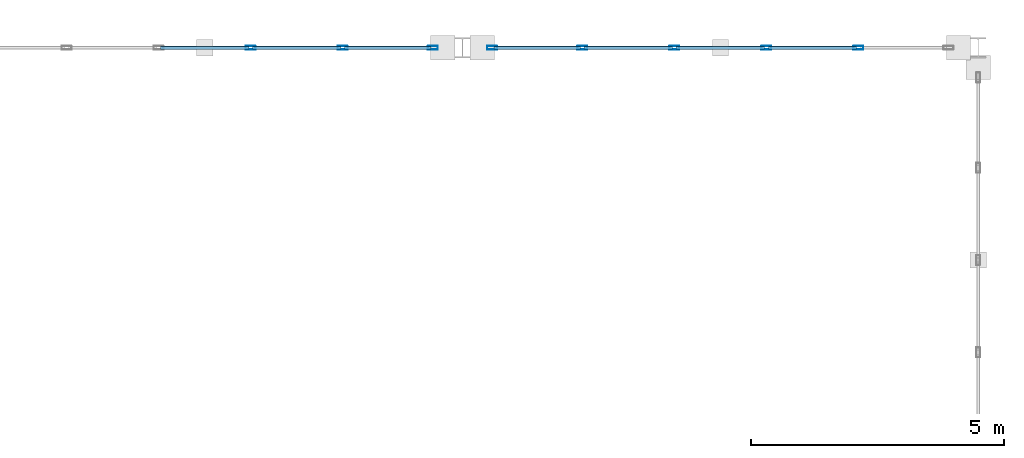
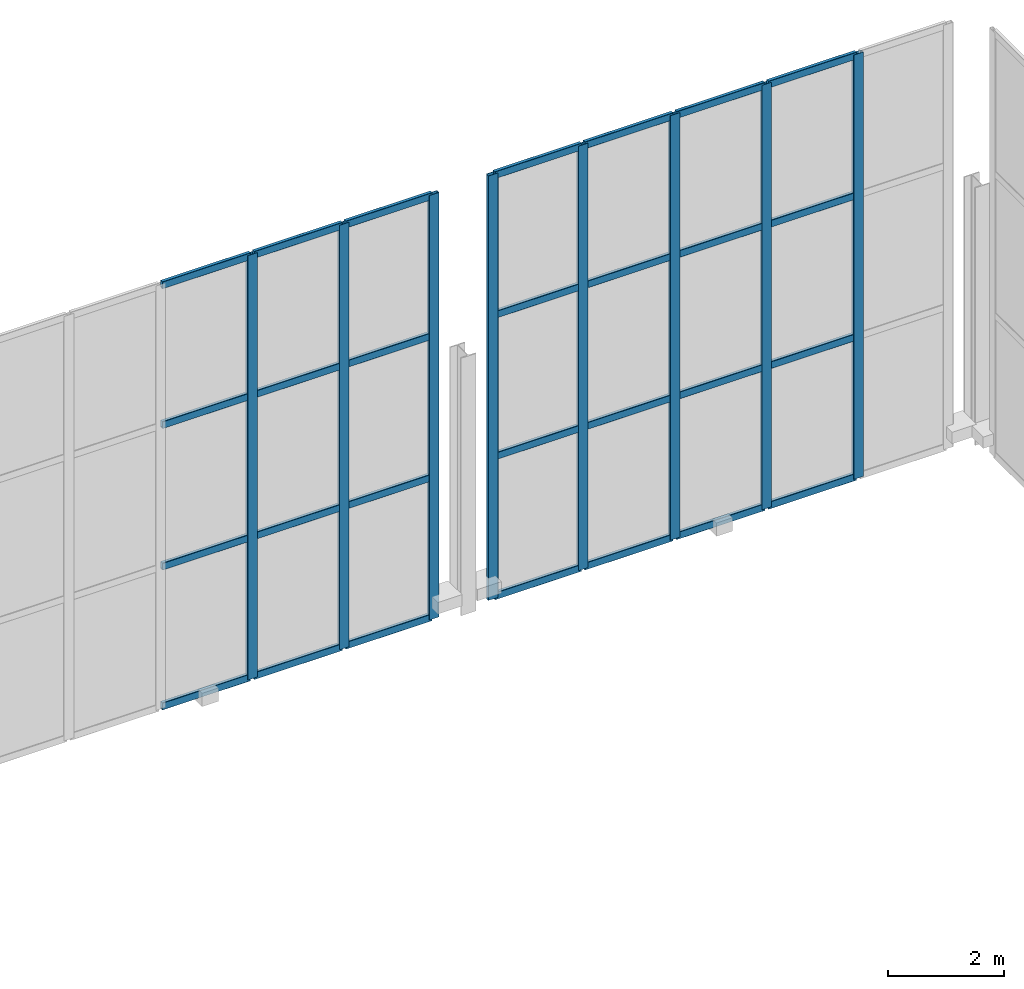
# One storey, part 99 of 175: 36 members, 2 elements without a shape of their own.
"""IFC4 building model written with IfcOpenShell, lengths in metres."""

from ifc_helpers import new_model, si_unit, direction, frame, origin, origin_2d, place, context, subcontext, project, spatial, hollow_rectangle, extrude, material, material_profile, profile_set, type_object, element, aggregate, save


model = new_model("IFC4")

# Units and contexts
model_context = context("Model", 3, precision=1e-05, world=origin(), true_north=direction((0.0, 1.0)))
body_context = subcontext(model_context, "Body", "Model", "MODEL_VIEW")
ifc_project = project(units=[si_unit("LENGTHUNIT", "METRE"), si_unit("AREAUNIT", "SQUARE_METRE"), si_unit("VOLUMEUNIT", "CUBIC_METRE"), si_unit("PLANEANGLEUNIT", "RADIAN"), si_unit("MASSUNIT", "GRAM", prefix="KILO")], contexts=[model_context])

# Site, building, storey
site_placement = place(None, origin())
site = spatial("IfcSite", under=ifc_project, at=site_placement, CompositionType="ELEMENT")
building_placement = place(site_placement, origin())
building = spatial("IfcBuilding", under=site, at=building_placement, Name="Brelvane Convention Centre", CompositionType="ELEMENT")
storey_placement = place(building_placement, frame((0.0, 0.0, 5.39990234375)))
storey = spatial("IfcBuildingStorey", under=building, at=storey_placement, Name="L01", CompositionType="ELEMENT", Elevation=5.39990234375)

# Curtain wall, members
ifc_material_1 = material(Name="Anodised Aluminium Alloy 6063-T6", Category="aluminium")
curtain_wall_type = type_object("IfcCurtainWallType", Name="Curtain Wall CW-BALL", PredefinedType="USERDEFINED", material=ifc_material_1)
curtain_wall_1_placement = place(storey_placement, origin())
curtain_wall_1 = element("IfcCurtainWall", 1, at=curtain_wall_1_placement, inside=storey, type_object=curtain_wall_type, Name="Curtain Wall CW-BALL L01-V3N-CW-L01-4", ObjectType="UNITISED", PredefinedType="USERDEFINED")
ifc_material_2 = material(Name="Anodised Aluminium Alloy 6063-T6", Category="aluminium")
ifc_material_profile_1 = material_profile(ifc_material_2, hollow_rectangle(XDim=0.074951171875, YDim=0.199951171875, WallThickness=0.0048828125, InnerFilletRadius=0.0048828125, OuterFilletRadius=0.010009765625, at=origin_2d()), Name="ALU-M 200x75x5.0")
ifc_profile_set_1 = profile_set([ifc_material_profile_1], Name="Anodised Aluminium Alloy 6063-T6")
member_type_1 = type_object("IfcMemberType", Name="Curtain Mullion CW-M2", PredefinedType="MULLION", material=ifc_profile_set_1)
member_1_placement = place(storey_placement, frame((210.010009765625, 144.0, 0.0), z_axis=(0.0, 0.0, 1.0), x_axis=(0.0, 1.0, 0.0)))
member_1 = element("IfcMember", 2, at=member_1_placement, type_object=member_type_1, Name="CW-BALL mullion 4", PredefinedType="MULLION", context=body_context, shape_type="SweptSolid", body=[
    extrude(hollow_rectangle(XDim=0.074951171875, YDim=0.199951171875, WallThickness=0.0048828125, InnerFilletRadius=0.0048828125, OuterFilletRadius=0.010009765625, at=origin_2d()), origin(), (0.0, 0.0, 1.0), 8.900146484375),
])
member_2_placement = place(storey_placement, frame((211.830078125, 144.0, 0.0), z_axis=(0.0, 0.0, 1.0), x_axis=(0.0, 1.0, 0.0)))
member_2 = element("IfcMember", 3, at=member_2_placement, type_object=member_type_1, Name="CW-BALL mullion 5", PredefinedType="MULLION", context=body_context, shape_type="SweptSolid", body=[
    extrude(hollow_rectangle(XDim=0.074951171875, YDim=0.199951171875, WallThickness=0.0048828125, InnerFilletRadius=0.0048828125, OuterFilletRadius=0.010009765625, at=origin_2d()), origin(), (0.0, 0.0, 1.0), 8.900146484375),
])
member_3_placement = place(storey_placement, frame((213.612548828125, 144.0, 0.0), z_axis=(0.0, 0.0, 1.0), x_axis=(0.0, 1.0, 0.0)))
member_3 = element("IfcMember", 4, at=member_3_placement, type_object=member_type_1, Name="CW-BALL mullion 6", PredefinedType="MULLION", context=body_context, shape_type="SweptSolid", body=[
    extrude(hollow_rectangle(XDim=0.074951171875, YDim=0.199951171875, WallThickness=0.0048828125, InnerFilletRadius=0.0048828125, OuterFilletRadius=0.010009765625, at=origin_2d()), origin(), (0.0, 0.0, 1.0), 8.900146484375),
])

curtain_wall_2_placement = place(storey_placement, origin())
curtain_wall_2 = element("IfcCurtainWall", 5, at=curtain_wall_2_placement, inside=storey, type_object=curtain_wall_type, Name="Curtain Wall CW-BALL L01-V3N-CW-L01-5", ObjectType="UNITISED", PredefinedType="USERDEFINED")
member_4_placement = place(storey_placement, frame((214.78759765625, 144.0, 0.0), z_axis=(0.0, 0.0, 1.0), x_axis=(0.0, 1.0, 0.0)))
member_4 = element("IfcMember", 6, at=member_4_placement, type_object=member_type_1, Name="CW-BALL mullion 1", PredefinedType="MULLION", context=body_context, shape_type="SweptSolid", body=[
    extrude(hollow_rectangle(XDim=0.074951171875, YDim=0.199951171875, WallThickness=0.0048828125, InnerFilletRadius=0.0048828125, OuterFilletRadius=0.010009765625, at=origin_2d()), origin(), (0.0, 0.0, 1.0), 8.900146484375),
])
member_5_placement = place(storey_placement, frame((216.570068359375, 144.0, 0.0), z_axis=(0.0, 0.0, 1.0), x_axis=(0.0, 1.0, 0.0)))
member_5 = element("IfcMember", 7, at=member_5_placement, type_object=member_type_1, Name="CW-BALL mullion 2", PredefinedType="MULLION", context=body_context, shape_type="SweptSolid", body=[
    extrude(hollow_rectangle(XDim=0.074951171875, YDim=0.199951171875, WallThickness=0.0048828125, InnerFilletRadius=0.0048828125, OuterFilletRadius=0.010009765625, at=origin_2d()), origin(), (0.0, 0.0, 1.0), 8.900146484375),
])
member_6_placement = place(storey_placement, frame((218.389892578125, 144.0, 0.0), z_axis=(0.0, 0.0, 1.0), x_axis=(0.0, 1.0, 0.0)))
member_6 = element("IfcMember", 8, at=member_6_placement, type_object=member_type_1, Name="CW-BALL mullion 3", PredefinedType="MULLION", context=body_context, shape_type="SweptSolid", body=[
    extrude(hollow_rectangle(XDim=0.074951171875, YDim=0.199951171875, WallThickness=0.0048828125, InnerFilletRadius=0.0048828125, OuterFilletRadius=0.010009765625, at=origin_2d()), origin(), (0.0, 0.0, 1.0), 8.900146484375),
])
member_7_placement = place(storey_placement, frame((220.2099609375, 144.0, 0.0), z_axis=(0.0, 0.0, 1.0), x_axis=(0.0, 1.0, 0.0)))
member_7 = element("IfcMember", 9, at=member_7_placement, type_object=member_type_1, Name="CW-BALL mullion 4", PredefinedType="MULLION", context=body_context, shape_type="SweptSolid", body=[
    extrude(hollow_rectangle(XDim=0.074951171875, YDim=0.199951171875, WallThickness=0.0048828125, InnerFilletRadius=0.0048828125, OuterFilletRadius=0.010009765625, at=origin_2d()), origin(), (0.0, 0.0, 1.0), 8.900146484375),
])
member_8_placement = place(storey_placement, frame((222.030029296875, 144.0, 0.0), z_axis=(0.0, 0.0, 1.0), x_axis=(0.0, 1.0, 0.0)))
member_8 = element("IfcMember", 10, at=member_8_placement, type_object=member_type_1, Name="CW-BALL mullion 5", PredefinedType="MULLION", context=body_context, shape_type="SweptSolid", body=[
    extrude(hollow_rectangle(XDim=0.074951171875, YDim=0.199951171875, WallThickness=0.0048828125, InnerFilletRadius=0.0048828125, OuterFilletRadius=0.010009765625, at=origin_2d()), origin(), (0.0, 0.0, 1.0), 8.900146484375),
])

# Member
ifc_material_3 = material(Name="Anodised Aluminium Alloy 6063-T6", Category="aluminium")
ifc_material_profile_2 = material_profile(ifc_material_3, hollow_rectangle(XDim=0.070068359375, YDim=0.14990234375, WallThickness=0.00439453125, InnerFilletRadius=0.00439453125, OuterFilletRadius=0.009033203125, at=origin_2d()), Name="ALU-T 150x70x4.5")
ifc_profile_set_2 = profile_set([ifc_material_profile_2], Name="Anodised Aluminium Alloy 6063-T6")
member_type_2 = type_object("IfcMemberType", Name="Curtain Transom CW-T2", PredefinedType="USERDEFINED", material=ifc_profile_set_2)
member_9_placement = place(storey_placement, frame((208.2275390625, 144.0, 0.03515625), z_axis=(1.0, 0.0, 0.0), x_axis=(0.0, 1.0, 0.0)))
member_9 = element("IfcMember", 11, at=member_9_placement, type_object=member_type_2, Name="CW-BALL transom 3.1", ObjectType="TRANSOM", PredefinedType="USERDEFINED", context=body_context, shape_type="SweptSolid", body=[
    extrude(hollow_rectangle(XDim=0.070068359375, YDim=0.14990234375, WallThickness=0.00439453125, InnerFilletRadius=0.00439453125, OuterFilletRadius=0.009033203125, at=origin_2d()), origin(), (0.0, 0.0, 1.0), 1.744873046875),
])

member_10_placement = place(storey_placement, frame((208.2275390625, 144.0, 2.966796875), z_axis=(1.0, 0.0, 0.0), x_axis=(0.0, 1.0, 0.0)))
member_10 = element("IfcMember", 12, at=member_10_placement, type_object=member_type_2, Name="CW-BALL transom 3.2", ObjectType="TRANSOM", PredefinedType="USERDEFINED", context=body_context, shape_type="SweptSolid", body=[
    extrude(hollow_rectangle(XDim=0.070068359375, YDim=0.14990234375, WallThickness=0.00439453125, InnerFilletRadius=0.00439453125, OuterFilletRadius=0.009033203125, at=origin_2d()), origin(), (0.0, 0.0, 1.0), 1.744873046875),
])

member_11_placement = place(storey_placement, frame((208.2275390625, 144.0, 5.933349609375), z_axis=(1.0, 0.0, 0.0), x_axis=(0.0, 1.0, 0.0)))
member_11 = element("IfcMember", 13, at=member_11_placement, type_object=member_type_2, Name="CW-BALL transom 3.3", ObjectType="TRANSOM", PredefinedType="USERDEFINED", context=body_context, shape_type="SweptSolid", body=[
    extrude(hollow_rectangle(XDim=0.070068359375, YDim=0.14990234375, WallThickness=0.00439453125, InnerFilletRadius=0.00439453125, OuterFilletRadius=0.009033203125, at=origin_2d()), origin(), (0.0, 0.0, 1.0), 1.744873046875),
])

member_12_placement = place(storey_placement, frame((208.2275390625, 144.0, 8.864990234375), z_axis=(1.0, 0.0, 0.0), x_axis=(0.0, 1.0, 0.0)))
member_12 = element("IfcMember", 14, at=member_12_placement, type_object=member_type_2, Name="CW-BALL transom 3.4", ObjectType="TRANSOM", PredefinedType="USERDEFINED", context=body_context, shape_type="SweptSolid", body=[
    extrude(hollow_rectangle(XDim=0.070068359375, YDim=0.14990234375, WallThickness=0.00439453125, InnerFilletRadius=0.00439453125, OuterFilletRadius=0.009033203125, at=origin_2d()), origin(), (0.0, 0.0, 1.0), 1.744873046875),
])

member_13_placement = place(storey_placement, frame((210.047607421875, 144.0, 0.03515625), z_axis=(1.0, 0.0, 0.0), x_axis=(0.0, 1.0, 0.0)))
member_13 = element("IfcMember", 15, at=member_13_placement, type_object=member_type_2, Name="CW-BALL transom 4.1", ObjectType="TRANSOM", PredefinedType="USERDEFINED", context=body_context, shape_type="SweptSolid", body=[
    extrude(hollow_rectangle(XDim=0.070068359375, YDim=0.14990234375, WallThickness=0.00439453125, InnerFilletRadius=0.00439453125, OuterFilletRadius=0.009033203125, at=origin_2d()), origin(), (0.0, 0.0, 1.0), 1.744873046875),
])

member_14_placement = place(storey_placement, frame((210.047607421875, 144.0, 2.966796875), z_axis=(1.0, 0.0, 0.0), x_axis=(0.0, 1.0, 0.0)))
member_14 = element("IfcMember", 16, at=member_14_placement, type_object=member_type_2, Name="CW-BALL transom 4.2", ObjectType="TRANSOM", PredefinedType="USERDEFINED", context=body_context, shape_type="SweptSolid", body=[
    extrude(hollow_rectangle(XDim=0.070068359375, YDim=0.14990234375, WallThickness=0.00439453125, InnerFilletRadius=0.00439453125, OuterFilletRadius=0.009033203125, at=origin_2d()), origin(), (0.0, 0.0, 1.0), 1.744873046875),
])

member_15_placement = place(storey_placement, frame((210.047607421875, 144.0, 5.933349609375), z_axis=(1.0, 0.0, 0.0), x_axis=(0.0, 1.0, 0.0)))
member_15 = element("IfcMember", 17, at=member_15_placement, type_object=member_type_2, Name="CW-BALL transom 4.3", ObjectType="TRANSOM", PredefinedType="USERDEFINED", context=body_context, shape_type="SweptSolid", body=[
    extrude(hollow_rectangle(XDim=0.070068359375, YDim=0.14990234375, WallThickness=0.00439453125, InnerFilletRadius=0.00439453125, OuterFilletRadius=0.009033203125, at=origin_2d()), origin(), (0.0, 0.0, 1.0), 1.744873046875),
])

member_16_placement = place(storey_placement, frame((210.047607421875, 144.0, 8.864990234375), z_axis=(1.0, 0.0, 0.0), x_axis=(0.0, 1.0, 0.0)))
member_16 = element("IfcMember", 18, at=member_16_placement, type_object=member_type_2, Name="CW-BALL transom 4.4", ObjectType="TRANSOM", PredefinedType="USERDEFINED", context=body_context, shape_type="SweptSolid", body=[
    extrude(hollow_rectangle(XDim=0.070068359375, YDim=0.14990234375, WallThickness=0.00439453125, InnerFilletRadius=0.00439453125, OuterFilletRadius=0.009033203125, at=origin_2d()), origin(), (0.0, 0.0, 1.0), 1.744873046875),
])

member_17_placement = place(storey_placement, frame((211.867431640625, 144.0, 0.03515625), z_axis=(1.0, 0.0, 0.0), x_axis=(0.0, 1.0, 0.0)))
member_17 = element("IfcMember", 19, at=member_17_placement, type_object=member_type_2, Name="CW-BALL transom 5.1", ObjectType="TRANSOM", PredefinedType="USERDEFINED", context=body_context, shape_type="SweptSolid", body=[
    extrude(hollow_rectangle(XDim=0.070068359375, YDim=0.14990234375, WallThickness=0.00439453125, InnerFilletRadius=0.00439453125, OuterFilletRadius=0.009033203125, at=origin_2d()), origin(), (0.0, 0.0, 1.0), 1.70751953125),
])

member_18_placement = place(storey_placement, frame((211.867431640625, 144.0, 2.966796875), z_axis=(1.0, 0.0, 0.0), x_axis=(0.0, 1.0, 0.0)))
member_18 = element("IfcMember", 20, at=member_18_placement, type_object=member_type_2, Name="CW-BALL transom 5.2", ObjectType="TRANSOM", PredefinedType="USERDEFINED", context=body_context, shape_type="SweptSolid", body=[
    extrude(hollow_rectangle(XDim=0.070068359375, YDim=0.14990234375, WallThickness=0.00439453125, InnerFilletRadius=0.00439453125, OuterFilletRadius=0.009033203125, at=origin_2d()), origin(), (0.0, 0.0, 1.0), 1.70751953125),
])

member_19_placement = place(storey_placement, frame((211.867431640625, 144.0, 5.933349609375), z_axis=(1.0, 0.0, 0.0), x_axis=(0.0, 1.0, 0.0)))
member_19 = element("IfcMember", 21, at=member_19_placement, type_object=member_type_2, Name="CW-BALL transom 5.3", ObjectType="TRANSOM", PredefinedType="USERDEFINED", context=body_context, shape_type="SweptSolid", body=[
    extrude(hollow_rectangle(XDim=0.070068359375, YDim=0.14990234375, WallThickness=0.00439453125, InnerFilletRadius=0.00439453125, OuterFilletRadius=0.009033203125, at=origin_2d()), origin(), (0.0, 0.0, 1.0), 1.70751953125),
])

member_20_placement = place(storey_placement, frame((211.867431640625, 144.0, 8.864990234375), z_axis=(1.0, 0.0, 0.0), x_axis=(0.0, 1.0, 0.0)))
member_20 = element("IfcMember", 22, at=member_20_placement, type_object=member_type_2, Name="CW-BALL transom 5.4", ObjectType="TRANSOM", PredefinedType="USERDEFINED", context=body_context, shape_type="SweptSolid", body=[
    extrude(hollow_rectangle(XDim=0.070068359375, YDim=0.14990234375, WallThickness=0.00439453125, InnerFilletRadius=0.00439453125, OuterFilletRadius=0.009033203125, at=origin_2d()), origin(), (0.0, 0.0, 1.0), 1.70751953125),
])

aggregate(curtain_wall_1, [member_1, member_2, member_3, member_9, member_10, member_11, member_12, member_13, member_14, member_15, member_16, member_17, member_18, member_19, member_20])

member_21_placement = place(storey_placement, frame((214.824951171875, 144.0, 0.03515625), z_axis=(1.0, 0.0, 0.0), x_axis=(0.0, 1.0, 0.0)))
member_21 = element("IfcMember", 23, at=member_21_placement, type_object=member_type_2, Name="CW-BALL transom 1.1", ObjectType="TRANSOM", PredefinedType="USERDEFINED", context=body_context, shape_type="SweptSolid", body=[
    extrude(hollow_rectangle(XDim=0.070068359375, YDim=0.14990234375, WallThickness=0.00439453125, InnerFilletRadius=0.00439453125, OuterFilletRadius=0.009033203125, at=origin_2d()), origin(), (0.0, 0.0, 1.0), 1.70751953125),
])

member_22_placement = place(storey_placement, frame((214.824951171875, 144.0, 2.966796875), z_axis=(1.0, 0.0, 0.0), x_axis=(0.0, 1.0, 0.0)))
member_22 = element("IfcMember", 24, at=member_22_placement, type_object=member_type_2, Name="CW-BALL transom 1.2", ObjectType="TRANSOM", PredefinedType="USERDEFINED", context=body_context, shape_type="SweptSolid", body=[
    extrude(hollow_rectangle(XDim=0.070068359375, YDim=0.14990234375, WallThickness=0.00439453125, InnerFilletRadius=0.00439453125, OuterFilletRadius=0.009033203125, at=origin_2d()), origin(), (0.0, 0.0, 1.0), 1.70751953125),
])

member_23_placement = place(storey_placement, frame((214.824951171875, 144.0, 5.933349609375), z_axis=(1.0, 0.0, 0.0), x_axis=(0.0, 1.0, 0.0)))
member_23 = element("IfcMember", 25, at=member_23_placement, type_object=member_type_2, Name="CW-BALL transom 1.3", ObjectType="TRANSOM", PredefinedType="USERDEFINED", context=body_context, shape_type="SweptSolid", body=[
    extrude(hollow_rectangle(XDim=0.070068359375, YDim=0.14990234375, WallThickness=0.00439453125, InnerFilletRadius=0.00439453125, OuterFilletRadius=0.009033203125, at=origin_2d()), origin(), (0.0, 0.0, 1.0), 1.70751953125),
])

member_24_placement = place(storey_placement, frame((214.824951171875, 144.0, 8.864990234375), z_axis=(1.0, 0.0, 0.0), x_axis=(0.0, 1.0, 0.0)))
member_24 = element("IfcMember", 26, at=member_24_placement, type_object=member_type_2, Name="CW-BALL transom 1.4", ObjectType="TRANSOM", PredefinedType="USERDEFINED", context=body_context, shape_type="SweptSolid", body=[
    extrude(hollow_rectangle(XDim=0.070068359375, YDim=0.14990234375, WallThickness=0.00439453125, InnerFilletRadius=0.00439453125, OuterFilletRadius=0.009033203125, at=origin_2d()), origin(), (0.0, 0.0, 1.0), 1.70751953125),
])

member_25_placement = place(storey_placement, frame((216.607421875, 144.0, 0.03515625), z_axis=(1.0, 0.0, 0.0), x_axis=(0.0, 1.0, 0.0)))
member_25 = element("IfcMember", 27, at=member_25_placement, type_object=member_type_2, Name="CW-BALL transom 2.1", ObjectType="TRANSOM", PredefinedType="USERDEFINED", context=body_context, shape_type="SweptSolid", body=[
    extrude(hollow_rectangle(XDim=0.070068359375, YDim=0.14990234375, WallThickness=0.00439453125, InnerFilletRadius=0.00439453125, OuterFilletRadius=0.009033203125, at=origin_2d()), origin(), (0.0, 0.0, 1.0), 1.7451171875),
])

member_26_placement = place(storey_placement, frame((216.607421875, 144.0, 2.966796875), z_axis=(1.0, 0.0, 0.0), x_axis=(0.0, 1.0, 0.0)))
member_26 = element("IfcMember", 28, at=member_26_placement, type_object=member_type_2, Name="CW-BALL transom 2.2", ObjectType="TRANSOM", PredefinedType="USERDEFINED", context=body_context, shape_type="SweptSolid", body=[
    extrude(hollow_rectangle(XDim=0.070068359375, YDim=0.14990234375, WallThickness=0.00439453125, InnerFilletRadius=0.00439453125, OuterFilletRadius=0.009033203125, at=origin_2d()), origin(), (0.0, 0.0, 1.0), 1.7451171875),
])

member_27_placement = place(storey_placement, frame((216.607421875, 144.0, 5.933349609375), z_axis=(1.0, 0.0, 0.0), x_axis=(0.0, 1.0, 0.0)))
member_27 = element("IfcMember", 29, at=member_27_placement, type_object=member_type_2, Name="CW-BALL transom 2.3", ObjectType="TRANSOM", PredefinedType="USERDEFINED", context=body_context, shape_type="SweptSolid", body=[
    extrude(hollow_rectangle(XDim=0.070068359375, YDim=0.14990234375, WallThickness=0.00439453125, InnerFilletRadius=0.00439453125, OuterFilletRadius=0.009033203125, at=origin_2d()), origin(), (0.0, 0.0, 1.0), 1.7451171875),
])

member_28_placement = place(storey_placement, frame((216.607421875, 144.0, 8.864990234375), z_axis=(1.0, 0.0, 0.0), x_axis=(0.0, 1.0, 0.0)))
member_28 = element("IfcMember", 30, at=member_28_placement, type_object=member_type_2, Name="CW-BALL transom 2.4", ObjectType="TRANSOM", PredefinedType="USERDEFINED", context=body_context, shape_type="SweptSolid", body=[
    extrude(hollow_rectangle(XDim=0.070068359375, YDim=0.14990234375, WallThickness=0.00439453125, InnerFilletRadius=0.00439453125, OuterFilletRadius=0.009033203125, at=origin_2d()), origin(), (0.0, 0.0, 1.0), 1.7451171875),
])

member_29_placement = place(storey_placement, frame((218.427490234375, 144.0, 0.03515625), z_axis=(1.0, 0.0, 0.0), x_axis=(0.0, 1.0, 0.0)))
member_29 = element("IfcMember", 31, at=member_29_placement, type_object=member_type_2, Name="CW-BALL transom 3.1", ObjectType="TRANSOM", PredefinedType="USERDEFINED", context=body_context, shape_type="SweptSolid", body=[
    extrude(hollow_rectangle(XDim=0.070068359375, YDim=0.14990234375, WallThickness=0.00439453125, InnerFilletRadius=0.00439453125, OuterFilletRadius=0.009033203125, at=origin_2d()), origin(), (0.0, 0.0, 1.0), 1.7451171875),
])

member_30_placement = place(storey_placement, frame((218.427490234375, 144.0, 2.966796875), z_axis=(1.0, 0.0, 0.0), x_axis=(0.0, 1.0, 0.0)))
member_30 = element("IfcMember", 32, at=member_30_placement, type_object=member_type_2, Name="CW-BALL transom 3.2", ObjectType="TRANSOM", PredefinedType="USERDEFINED", context=body_context, shape_type="SweptSolid", body=[
    extrude(hollow_rectangle(XDim=0.070068359375, YDim=0.14990234375, WallThickness=0.00439453125, InnerFilletRadius=0.00439453125, OuterFilletRadius=0.009033203125, at=origin_2d()), origin(), (0.0, 0.0, 1.0), 1.7451171875),
])

member_31_placement = place(storey_placement, frame((218.427490234375, 144.0, 5.933349609375), z_axis=(1.0, 0.0, 0.0), x_axis=(0.0, 1.0, 0.0)))
member_31 = element("IfcMember", 33, at=member_31_placement, type_object=member_type_2, Name="CW-BALL transom 3.3", ObjectType="TRANSOM", PredefinedType="USERDEFINED", context=body_context, shape_type="SweptSolid", body=[
    extrude(hollow_rectangle(XDim=0.070068359375, YDim=0.14990234375, WallThickness=0.00439453125, InnerFilletRadius=0.00439453125, OuterFilletRadius=0.009033203125, at=origin_2d()), origin(), (0.0, 0.0, 1.0), 1.7451171875),
])

member_32_placement = place(storey_placement, frame((218.427490234375, 144.0, 8.864990234375), z_axis=(1.0, 0.0, 0.0), x_axis=(0.0, 1.0, 0.0)))
member_32 = element("IfcMember", 34, at=member_32_placement, type_object=member_type_2, Name="CW-BALL transom 3.4", ObjectType="TRANSOM", PredefinedType="USERDEFINED", context=body_context, shape_type="SweptSolid", body=[
    extrude(hollow_rectangle(XDim=0.070068359375, YDim=0.14990234375, WallThickness=0.00439453125, InnerFilletRadius=0.00439453125, OuterFilletRadius=0.009033203125, at=origin_2d()), origin(), (0.0, 0.0, 1.0), 1.7451171875),
])

member_33_placement = place(storey_placement, frame((220.24755859375, 144.0, 0.03515625), z_axis=(1.0, 0.0, 0.0), x_axis=(0.0, 1.0, 0.0)))
member_33 = element("IfcMember", 35, at=member_33_placement, type_object=member_type_2, Name="CW-BALL transom 4.1", ObjectType="TRANSOM", PredefinedType="USERDEFINED", context=body_context, shape_type="SweptSolid", body=[
    extrude(hollow_rectangle(XDim=0.070068359375, YDim=0.14990234375, WallThickness=0.00439453125, InnerFilletRadius=0.00439453125, OuterFilletRadius=0.009033203125, at=origin_2d()), origin(), (0.0, 0.0, 1.0), 1.744873046875),
])

member_34_placement = place(storey_placement, frame((220.24755859375, 144.0, 2.966796875), z_axis=(1.0, 0.0, 0.0), x_axis=(0.0, 1.0, 0.0)))
member_34 = element("IfcMember", 36, at=member_34_placement, type_object=member_type_2, Name="CW-BALL transom 4.2", ObjectType="TRANSOM", PredefinedType="USERDEFINED", context=body_context, shape_type="SweptSolid", body=[
    extrude(hollow_rectangle(XDim=0.070068359375, YDim=0.14990234375, WallThickness=0.00439453125, InnerFilletRadius=0.00439453125, OuterFilletRadius=0.009033203125, at=origin_2d()), origin(), (0.0, 0.0, 1.0), 1.744873046875),
])

member_35_placement = place(storey_placement, frame((220.24755859375, 144.0, 5.933349609375), z_axis=(1.0, 0.0, 0.0), x_axis=(0.0, 1.0, 0.0)))
member_35 = element("IfcMember", 37, at=member_35_placement, type_object=member_type_2, Name="CW-BALL transom 4.3", ObjectType="TRANSOM", PredefinedType="USERDEFINED", context=body_context, shape_type="SweptSolid", body=[
    extrude(hollow_rectangle(XDim=0.070068359375, YDim=0.14990234375, WallThickness=0.00439453125, InnerFilletRadius=0.00439453125, OuterFilletRadius=0.009033203125, at=origin_2d()), origin(), (0.0, 0.0, 1.0), 1.744873046875),
])

member_36_placement = place(storey_placement, frame((220.24755859375, 144.0, 8.864990234375), z_axis=(1.0, 0.0, 0.0), x_axis=(0.0, 1.0, 0.0)))
member_36 = element("IfcMember", 38, at=member_36_placement, type_object=member_type_2, Name="CW-BALL transom 4.4", ObjectType="TRANSOM", PredefinedType="USERDEFINED", context=body_context, shape_type="SweptSolid", body=[
    extrude(hollow_rectangle(XDim=0.070068359375, YDim=0.14990234375, WallThickness=0.00439453125, InnerFilletRadius=0.00439453125, OuterFilletRadius=0.009033203125, at=origin_2d()), origin(), (0.0, 0.0, 1.0), 1.744873046875),
])

aggregate(curtain_wall_2, [member_4, member_5, member_6, member_7, member_8, member_21, member_22, member_23, member_24, member_25, member_26, member_27, member_28, member_29, member_30, member_31, member_32, member_33, member_34, member_35, member_36])

save(model, "model.ifc")
